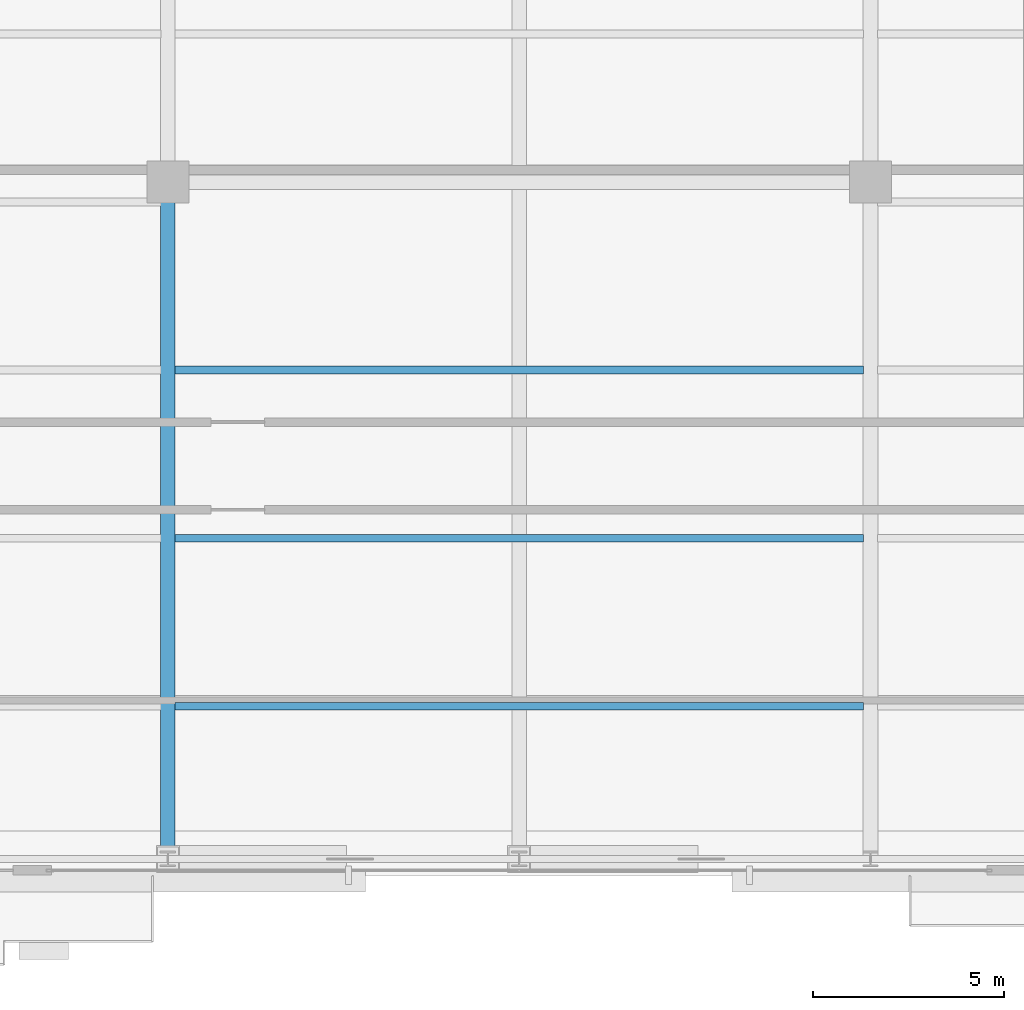
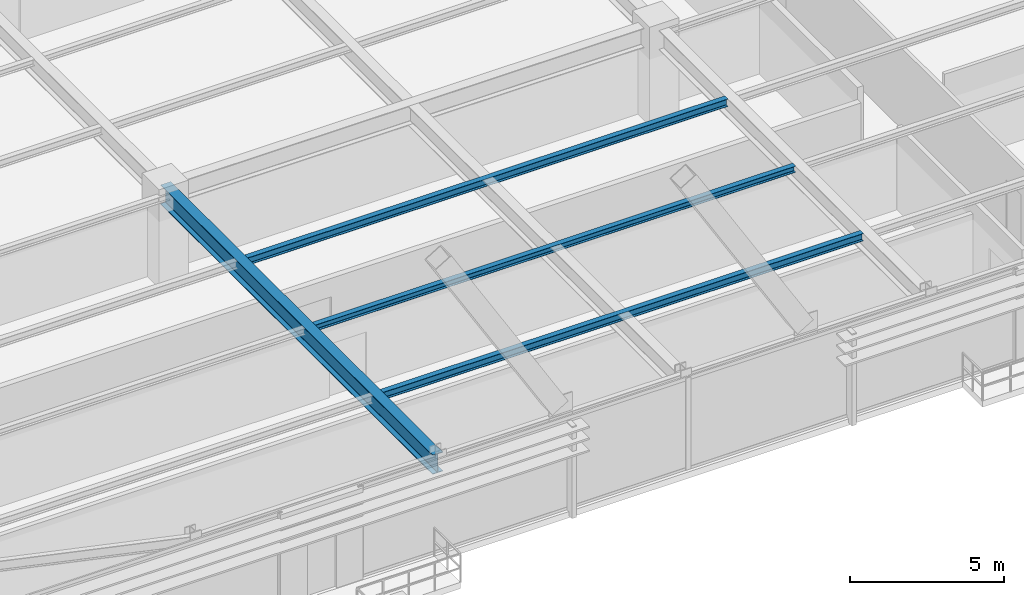
# One storey, part 7 of 34: 4 beams.
"""IFC4 building model written with IfcOpenShell, lengths in metres."""

from ifc_helpers import new_model, si_unit, direction, frame, origin, origin_2d, place, context, subcontext, project, spatial, i_section, extrude, source, transform, mapped, material, material_profile, profile_set, type_object, type_shapes, element, save


model = new_model("IFC4")

# Units and contexts
model_context = context("Model", 3, precision=1e-05, world=origin(), true_north=direction((0.0, 1.0)))
body_context = subcontext(model_context, "Body", "Model", "MODEL_VIEW")
ifc_project = project(units=[si_unit("LENGTHUNIT", "METRE"), si_unit("AREAUNIT", "SQUARE_METRE"), si_unit("VOLUMEUNIT", "CUBIC_METRE"), si_unit("PLANEANGLEUNIT", "RADIAN"), si_unit("MASSUNIT", "GRAM", prefix="KILO")], contexts=[model_context])

# Site, building, storey
site_placement = place(None, origin())
site = spatial("IfcSite", under=ifc_project, at=site_placement, CompositionType="ELEMENT")
building_placement = place(site_placement, origin())
building = spatial("IfcBuilding", under=site, at=building_placement, Name="Varnel Quay Broadcast Tower", CompositionType="ELEMENT")
storey_placement = place(building_placement, frame((0.0, 0.0, 47.10009765625)))
storey = spatial("IfcBuildingStorey", under=building, at=storey_placement, Name="L10", CompositionType="ELEMENT", Elevation=47.10009765625)

# Beams
ifc_material = material(Name="Structural Steel CSA G40.21 350W", Category="steel")
ifc_material_profile_1 = material_profile(ifc_material, i_section(OverallWidth=0.381103515625, OverallDepth=0.77294921875, WebThickness=0.0166015625, FlangeThickness=0.027587890625, FilletRadius=0.01806640625, at=origin_2d()), Name="W760X257")
ifc_profile_set_1 = profile_set([ifc_material_profile_1], Name="Structural Steel CSA G40.21 350W")
beam_type_1 = type_object("IfcBeamType", Name="Girder_W760X257", PredefinedType="BEAM", material=ifc_profile_set_1)
shared_shape_1 = source(origin(), body_context, "Body", "SweptSolid", [
    extrude(i_section(OverallWidth=0.381103515625, OverallDepth=0.77294921875, WebThickness=0.0166015625, FlangeThickness=0.027587890625, FilletRadius=0.01806640625, at=origin_2d()), origin(), (0.0, 0.0, 1.0), 17.68017578125),
])
type_shapes(beam_type_1, [shared_shape_1])
beam_1_placement = place(storey_placement, frame((24.800048828125, 1.669921875, 3.263427734375), z_axis=(0.0, 1.0, 0.0), x_axis=(-1.0, 0.0, 0.0)))
element("IfcBeam", 1, at=beam_1_placement, inside=storey, type_object=beam_type_1, Name="L10 Primary Girder TC-S2-IC-01", PredefinedType="BEAM", context=body_context, shape_type="MappedRepresentation", body=[
    mapped(shared_shape_1, transform((0.0, 0.0, 0.0), x_axis=(1.0, 0.0, 0.0), y_axis=(0.0, 1.0, 0.0), z_axis=(0.0, 0.0, 1.0), scale=1.0)),
])
ifc_material_profile_2 = material_profile(ifc_material, i_section(OverallWidth=0.202880859375, OverallDepth=0.302978515625, WebThickness=0.007568359375, FlangeThickness=0.01318359375, FilletRadius=0.011962890625, at=origin_2d()), Name="W310X60")
ifc_profile_set_2 = profile_set([ifc_material_profile_2], Name="Structural Steel CSA G40.21 350W")
beam_type_2 = type_object("IfcBeamType", Name="Beam_W310X60", PredefinedType="JOIST", material=ifc_profile_set_2)
shared_shape_2 = source(origin(), body_context, "Body", "SweptSolid", [
    extrude(i_section(OverallWidth=0.202880859375, OverallDepth=0.302978515625, WebThickness=0.007568359375, FlangeThickness=0.01318359375, FilletRadius=0.011962890625, at=origin_2d()), origin(), (0.0, 0.0, 1.0), 18.02880859375),
])
type_shapes(beam_type_2, [shared_shape_2])
for number, where, z_axis, x_axis, name in (
    (2, (24.985595703125, 5.64990234375, 3.498291015625), (1.0, 0.0, 0.0), (0.0, 1.0, 0.0), "L10 Central Floor Joist 1"),
    (3, (24.985595703125, 14.449951171875, 3.498291015625), (1.0, 0.0, 0.0), (0.0, 1.0, 0.0), "L10 Central Floor Joist 3"),
):
    element("IfcBeam", number, at=place(storey_placement, frame(where, z_axis=z_axis, x_axis=x_axis)), inside=storey, type_object=beam_type_2, Name=name, PredefinedType="JOIST", context=body_context, shape_type="MappedRepresentation", body=[
        mapped(shared_shape_2, transform((0.0, 0.0, 0.0), x_axis=(1.0, 0.0, 0.0), y_axis=(0.0, 1.0, 0.0), z_axis=(0.0, 0.0, 1.0), scale=1.0)),
    ])
ifc_material_profile_3 = material_profile(ifc_material, i_section(OverallWidth=0.201904296875, OverallDepth=0.2470703125, WebThickness=0.00732421875, FlangeThickness=0.010986328125, FilletRadius=0.010986328125, at=origin_2d()), Name="W250X49")
ifc_profile_set_3 = profile_set([ifc_material_profile_3], Name="Structural Steel CSA G40.21 350W")
beam_type_3 = type_object("IfcBeamType", Name="Beam_W250X49", PredefinedType="JOIST", material=ifc_profile_set_3)
shared_shape_3 = source(origin(), body_context, "Body", "SweptSolid", [
    extrude(i_section(OverallWidth=0.201904296875, OverallDepth=0.2470703125, WebThickness=0.00732421875, FlangeThickness=0.010986328125, FilletRadius=0.010986328125, at=origin_2d()), origin(), (0.0, 0.0, 1.0), 18.02880859375),
])
type_shapes(beam_type_3, [shared_shape_3])
beam_2_placement = place(storey_placement, frame((24.985595703125, 10.050048828125, 3.5263671875), z_axis=(1.0, 0.0, 0.0), x_axis=(0.0, 1.0, 0.0)))
element("IfcBeam", 4, at=beam_2_placement, inside=storey, type_object=beam_type_3, Name="L10 Central Floor Joist 2", PredefinedType="JOIST", context=body_context, shape_type="MappedRepresentation", body=[
    mapped(shared_shape_3, transform((0.0, 0.0, 0.0), x_axis=(1.0, 0.0, 0.0), y_axis=(0.0, 1.0, 0.0), z_axis=(0.0, 0.0, 1.0), scale=1.0)),
])

save(model, "model.ifc")
